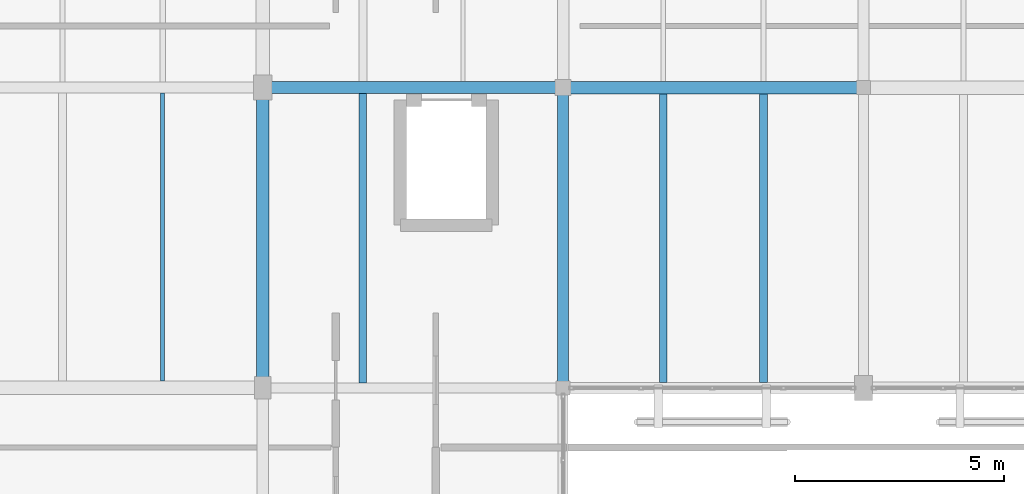
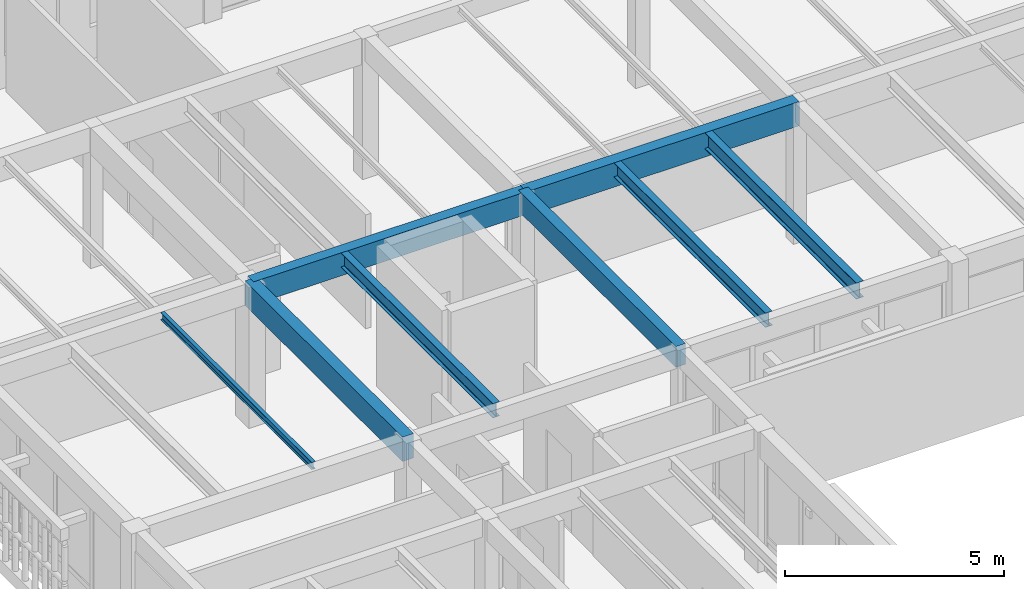
# One storey, part 152 of 217: 8 beams.
"""IFC4 building model written with IfcOpenShell, lengths in metres."""

from ifc_helpers import new_model, si_unit, direction, frame, origin, origin_2d, place, context, subcontext, project, spatial, rectangle, i_section, extrude, material, material_profile, profile_set, type_object, element, save


model = new_model("IFC4")

# Units and contexts
model_context = context("Model", 3, precision=1e-05, world=origin(), true_north=direction((0.0, 1.0)))
body_context = subcontext(model_context, "Body", "Model", "MODEL_VIEW")
ifc_project = project(units=[si_unit("LENGTHUNIT", "METRE"), si_unit("AREAUNIT", "SQUARE_METRE"), si_unit("VOLUMEUNIT", "CUBIC_METRE"), si_unit("PLANEANGLEUNIT", "RADIAN"), si_unit("MASSUNIT", "GRAM", prefix="KILO")], contexts=[model_context])

# Site, building, storey
site_placement = place(None, origin())
site = spatial("IfcSite", under=ifc_project, at=site_placement, CompositionType="ELEMENT")
building_placement = place(site_placement, origin())
building = spatial("IfcBuilding", under=site, at=building_placement, Name="Mazaris Harbour Polytechnic", CompositionType="ELEMENT")
storey_placement = place(building_placement, frame((0.0, 0.0, 9.60009765625)))
storey = spatial("IfcBuildingStorey", under=building, at=storey_placement, Name="L02", CompositionType="ELEMENT", Elevation=9.60009765625)

# Beams
ifc_material_1 = material(Name="Glulam GL32h", Category="wood")
ifc_material_profile_1 = material_profile(ifc_material_1, rectangle(XDim=0.260009765625, YDim=0.580078125, at=origin_2d()), Name="RECT260x580")
ifc_profile_set_1 = profile_set([ifc_material_profile_1], Name="Glulam GL32h")
beam_type_1 = type_object("IfcBeamType", Name="Glulam Girder 260x580", PredefinedType="BEAM", material=ifc_profile_set_1)
beam_1_placement = place(storey_placement, frame((136.800048828125, 86.39990234375, 3.6298828125), z_axis=(0.0, 1.0, 0.0), x_axis=(-1.0, 0.0, 0.0)))
element("IfcBeam", 1, at=beam_1_placement, inside=storey, type_object=beam_type_1, Name="V5 L02 Tie Girder 3191", PredefinedType="BEAM", context=body_context, shape_type="SweptSolid", body=[
    extrude(rectangle(XDim=0.260009765625, YDim=0.580078125, at=origin_2d()), origin(), (0.0, 0.0, 1.0), 7.2001953125),
])
ifc_material_2 = material(Name="Glulam GL32h", Category="wood")
ifc_material_profile_2 = material_profile(ifc_material_2, rectangle(XDim=0.280029296875, YDim=0.639892578125, at=origin_2d()), Name="RECT280x640")
ifc_profile_set_2 = profile_set([ifc_material_profile_2], Name="Glulam GL32h")
beam_type_2 = type_object("IfcBeamType", Name="Glulam Girder 280x640", PredefinedType="BEAM", material=ifc_profile_set_2)
beam_2_placement = place(storey_placement, frame((129.60009765625, 93.60009765625, 3.599853515625), z_axis=(1.0, 0.0, 0.0), x_axis=(0.0, 1.0, 0.0)))
element("IfcBeam", 2, at=beam_2_placement, inside=storey, type_object=beam_type_2, Name="V5 L02 Girder 3157", PredefinedType="BEAM", context=body_context, shape_type="SweptSolid", body=[
    extrude(rectangle(XDim=0.280029296875, YDim=0.639892578125, at=origin_2d()), origin(), (0.0, 0.0, 1.0), 7.199951171875),
])
ifc_material_3 = material(Name="Glulam GL32h", Category="wood")
ifc_material_profile_3 = material_profile(ifc_material_3, rectangle(XDim=0.300048828125, YDim=0.679931640625, at=origin_2d()), Name="RECT300x680")
ifc_profile_set_3 = profile_set([ifc_material_profile_3], Name="Glulam GL32h")
beam_type_3 = type_object("IfcBeamType", Name="Glulam Girder 300x680", PredefinedType="BEAM", material=ifc_profile_set_3)
beam_3_placement = place(storey_placement, frame((136.800048828125, 93.60009765625, 3.579833984375), z_axis=(1.0, 0.0, 0.0), x_axis=(0.0, 1.0, 0.0)))
element("IfcBeam", 3, at=beam_3_placement, inside=storey, type_object=beam_type_3, Name="V5 L02 Girder 3158", PredefinedType="BEAM", context=body_context, shape_type="SweptSolid", body=[
    extrude(rectangle(XDim=0.300048828125, YDim=0.679931640625, at=origin_2d()), origin(), (0.0, 0.0, 1.0), 7.199951171875),
])
beam_4_placement = place(storey_placement, frame((129.60009765625, 86.39990234375, 3.579833984375), z_axis=(0.0, 1.0, 0.0), x_axis=(-1.0, 0.0, 0.0)))
element("IfcBeam", 4, at=beam_4_placement, inside=storey, type_object=beam_type_3, Name="V5 L02 Tie Girder 3183", PredefinedType="BEAM", context=body_context, shape_type="SweptSolid", body=[
    extrude(rectangle(XDim=0.300048828125, YDim=0.679931640625, at=origin_2d()), origin(), (0.0, 0.0, 1.0), 7.2001953125),
])
ifc_material_4 = material(Name="Steel S355", Category="steel")
ifc_material_profile_4 = material_profile(ifc_material_4, i_section(OverallWidth=0.10009765625, OverallDepth=0.199951171875, WebThickness=0.005615234375, FlangeThickness=0.008544921875, FilletRadius=0.011962890625, at=origin_2d()), Name="IPE 200")
ifc_profile_set_4 = profile_set([ifc_material_profile_4], Name="Steel S355")
beam_type_4 = type_object("IfcBeamType", Name="Steel Joist IPE200", PredefinedType="JOIST", material=ifc_profile_set_4)
beam_5_placement = place(storey_placement, frame((127.199951171875, 86.56005859375, 3.81982421875), z_axis=(0.0, 1.0, 0.0), x_axis=(-1.0, 0.0, 0.0)))
element("IfcBeam", 5, at=beam_5_placement, inside=storey, type_object=beam_type_4, Name="V5 L02 Floor Joist 3234", PredefinedType="JOIST", context=body_context, shape_type="SweptSolid", body=[
    extrude(i_section(OverallWidth=0.10009765625, OverallDepth=0.199951171875, WebThickness=0.005615234375, FlangeThickness=0.008544921875, FilletRadius=0.011962890625, at=origin_2d()), origin(), (0.0, 0.0, 1.0), 6.909912109375),
])
ifc_material_5 = material(Name="Steel S355", Category="steel")
ifc_material_profile_5 = material_profile(ifc_material_5, i_section(OverallWidth=0.179931640625, OverallDepth=0.39990234375, WebThickness=0.008544921875, FlangeThickness=0.013427734375, FilletRadius=0.02099609375, at=origin_2d()), Name="IPE 400")
ifc_profile_set_5 = profile_set([ifc_material_profile_5], Name="Steel S355")
beam_type_5 = type_object("IfcBeamType", Name="Steel Joist IPE400", PredefinedType="JOIST", material=ifc_profile_set_5)
beam_6_placement = place(storey_placement, frame((132.0, 86.52001953125, 3.719970703125), z_axis=(0.0, 1.0, 0.0), x_axis=(-1.0, 0.0, 0.0)))
element("IfcBeam", 6, at=beam_6_placement, inside=storey, type_object=beam_type_5, Name="V5 L02 Floor Joist 3246", PredefinedType="JOIST", context=body_context, shape_type="SweptSolid", body=[
    extrude(i_section(OverallWidth=0.179931640625, OverallDepth=0.39990234375, WebThickness=0.008544921875, FlangeThickness=0.013427734375, FilletRadius=0.02099609375, at=origin_2d()), origin(), (0.0, 0.0, 1.0), 6.93994140625),
])
beam_7_placement = place(storey_placement, frame((139.199951171875, 86.530029296875, 3.719970703125), z_axis=(0.0, 1.0, 0.0), x_axis=(-1.0, 0.0, 0.0)))
element("IfcBeam", 7, at=beam_7_placement, inside=storey, type_object=beam_type_5, Name="V5 L02 Floor Joist 3253", PredefinedType="JOIST", context=body_context, shape_type="SweptSolid", body=[
    extrude(i_section(OverallWidth=0.179931640625, OverallDepth=0.39990234375, WebThickness=0.008544921875, FlangeThickness=0.013427734375, FilletRadius=0.02099609375, at=origin_2d()), origin(), (0.0, 0.0, 1.0), 6.919921875),
])
ifc_material_6 = material(Name="Steel S355", Category="steel")
ifc_material_profile_6 = material_profile(ifc_material_6, i_section(OverallWidth=0.18994140625, OverallDepth=0.449951171875, WebThickness=0.009521484375, FlangeThickness=0.0146484375, FilletRadius=0.02099609375, at=origin_2d()), Name="IPE 450")
ifc_profile_set_6 = profile_set([ifc_material_profile_6], Name="Steel S355")
beam_type_6 = type_object("IfcBeamType", Name="Steel Joist IPE450", PredefinedType="JOIST", material=ifc_profile_set_6)
beam_8_placement = place(storey_placement, frame((141.60009765625, 86.530029296875, 3.69482421875), z_axis=(0.0, 1.0, 0.0), x_axis=(-1.0, 0.0, 0.0)))
element("IfcBeam", 8, at=beam_8_placement, inside=storey, type_object=beam_type_6, Name="V5 L02 Floor Joist 3254", PredefinedType="JOIST", context=body_context, shape_type="SweptSolid", body=[
    extrude(i_section(OverallWidth=0.18994140625, OverallDepth=0.449951171875, WebThickness=0.009521484375, FlangeThickness=0.0146484375, FilletRadius=0.02099609375, at=origin_2d()), origin(), (0.0, 0.0, 1.0), 6.919921875),
])

save(model, "model.ifc")
